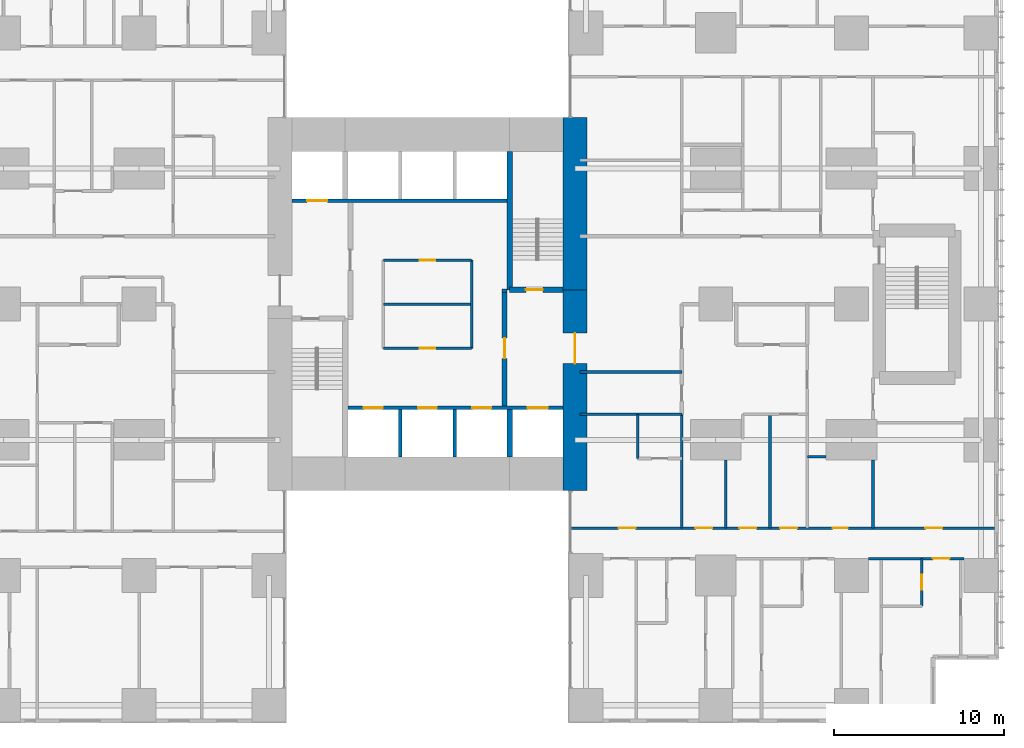
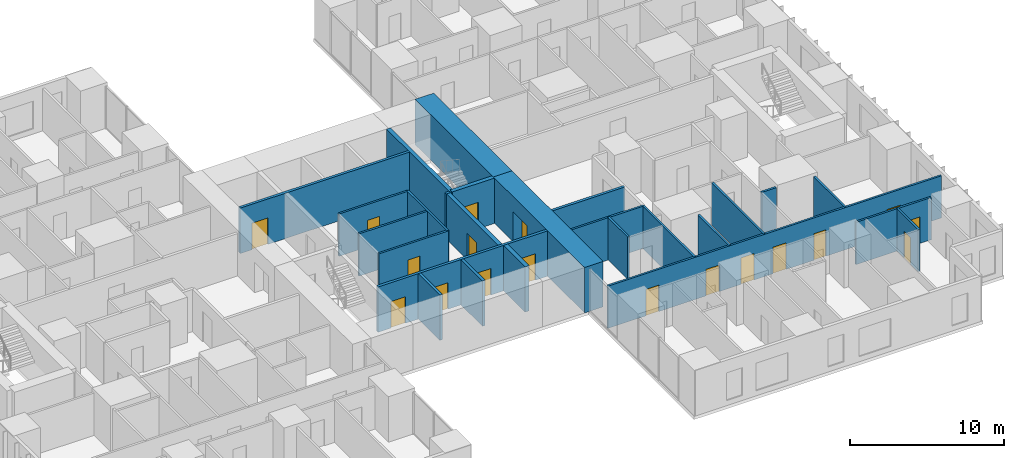
# One storey, part 15 of 21: 26 walls, 18 doors, 18 openings.
"""IFC4 building model written with IfcOpenShell, lengths in metres."""

from ifc_helpers import new_model, si_unit, direction, frame, frame_2d, origin, place, context, subcontext, project, spatial, rectangle, extrude, material, layer, layer_set, type_object, element, fill, save


model = new_model("IFC4")

# Units and contexts
model_context = context("Model", 3, precision=1e-05, world=origin(), true_north=direction((0.0, 1.0)))
body_context = subcontext(model_context, "Body", "Model", "MODEL_VIEW")
ifc_project = project(units=[si_unit("LENGTHUNIT", "METRE"), si_unit("AREAUNIT", "SQUARE_METRE"), si_unit("VOLUMEUNIT", "CUBIC_METRE"), si_unit("PLANEANGLEUNIT", "RADIAN"), si_unit("MASSUNIT", "GRAM", prefix="KILO")], contexts=[model_context])

# Site, building, storey
site_placement = place(None, origin())
site = spatial("IfcSite", under=ifc_project, at=site_placement, CompositionType="ELEMENT")
building_placement = place(site_placement, origin())
building = spatial("IfcBuilding", under=site, at=building_placement, Name="Cleftline Residences", CompositionType="ELEMENT")
storey_placement = place(building_placement, frame((0.0, 0.0, 128.60009765625)))
storey = spatial("IfcBuildingStorey", under=building, at=storey_placement, Name="L33", CompositionType="ELEMENT", Elevation=128.60009765625)

# Wall, opening, door
ifc_material_1 = material(Name="Concrete B70", Category="concrete")
ifc_layer_1 = layer(ifc_material_1, 1.39990234375)
ifc_layer_set_1 = layer_set([ifc_layer_1], Name="CORE WALL 1400")
wall_type_1 = type_object("IfcWallType", Name="CORE WALL 1400", PredefinedType="SHEAR", material=ifc_layer_set_1)
wall_1_placement = place(storey_placement, frame((41.699951171875, 13.0, 0.0), z_axis=(0.0, 0.0, 1.0), x_axis=(0.0, 1.0, 0.0)))
wall_1 = element("IfcWall", 1, at=wall_1_placement, inside=storey, type_object=wall_type_1, Name="Core wall E", PredefinedType="SHEAR", context=body_context, shape_type="SweptSolid", body=[
    extrude(rectangle(XDim=11.85009765625, YDim=1.39990234375, at=frame_2d((5.925048828125, 0.0))), origin(), (0.0, 0.0, 1.0), 3.599853515625),
])
opening_1_placement = place(wall_1_placement, frame((7.5, 0.0, 0.0)))
opening_1 = element("IfcOpeningElement", 2, at=opening_1_placement, cuts=wall_1, Name="Opening D7", PredefinedType="OPENING", context=body_context, shape_type="SweptSolid", body=[
    extrude(rectangle(XDim=1.800048828125, YDim=2.39990234375, at=frame_2d((0.89990234375, 1.199951171875))), frame((0.0, 0.7099609375, 0.0), z_axis=(0.0, -1.0, 0.0), x_axis=(1.0, 0.0, 0.0)), (0.0, 0.0, 1.0), 1.419921875),
])
ifc_material_2 = material(Name="Steel", Category="steel")
door_type_1 = type_object("IfcDoorType", Name="WING DOOR 1800X2400", OperationType="DOUBLE_DOOR_DOUBLE_SWING", PredefinedType="DOOR", material=ifc_material_2)
door_1_placement = place(opening_1_placement, origin())
door_1 = element("IfcDoor", 3, at=door_1_placement, inside=storey, type_object=door_type_1, Name="East wing door", OperationType="DOUBLE_DOOR_DOUBLE_SWING", OverallHeight=2.39990234375, OverallWidth=1.800048828125, PredefinedType="DOOR", context=body_context, shape_type="SweptSolid", body=[
    extrude(rectangle(XDim=1.800048828125, YDim=2.39990234375, at=frame_2d((0.89990234375, 1.199951171875))), frame((0.0, 0.02490234375, 0.0), z_axis=(0.0, -1.0, 0.0), x_axis=(1.0, 0.0, 0.0)), (0.0, 0.0, 1.0), 0.050048828125),
])
fill(opening_1, door_1)

# Walls
wall_2_placement = place(storey_placement, frame((41.699951171875, 24.85009765625, 0.0), z_axis=(0.0, 0.0, 1.0), x_axis=(0.0, 1.0, 0.0)))
element("IfcWall", 4, at=wall_2_placement, inside=storey, type_object=wall_type_1, Name="Core wall E1", PredefinedType="SHEAR", context=body_context, shape_type="SweptSolid", body=[
    extrude(rectangle(XDim=10.14990234375, YDim=1.39990234375, at=frame_2d((5.074951171875, 0.0))), origin(), (0.0, 0.0, 1.0), 3.599853515625),
])
ifc_material_3 = material(Name="Concrete B70", Category="concrete")
ifc_layer_2 = layer(ifc_material_3, 0.300048828125)
ifc_layer_set_2 = layer_set([ifc_layer_2], Name="CORE WALL 300")
wall_type_2 = type_object("IfcWallType", Name="CORE WALL 300", PredefinedType="SHEAR", material=ifc_layer_set_2)
wall_3_placement = place(storey_placement, frame((37.85009765625, 24.85009765625, 0.0), z_axis=(0.0, 0.0, 1.0), x_axis=(0.0, 1.0, 0.0)))
element("IfcWall", 5, at=wall_3_placement, inside=storey, type_object=wall_type_2, Name="Core wall SB-W", PredefinedType="SHEAR", context=body_context, shape_type="SweptSolid", body=[
    extrude(rectangle(XDim=8.14990234375, YDim=0.300048828125, at=frame_2d((4.074951171875, 0.0))), origin(), (0.0, 0.0, 1.0), 3.599853515625),
])

# Wall, opening, door
wall_4_placement = place(storey_placement, frame((37.85009765625, 24.85009765625, 0.0), z_axis=(0.0, 0.0, 1.0), x_axis=(1.0, 0.0, 0.0)))
wall_4 = element("IfcWall", 6, at=wall_4_placement, inside=storey, type_object=wall_type_2, Name="Core wall SB-S", PredefinedType="SHEAR", context=body_context, shape_type="SweptSolid", body=[
    extrude(rectangle(XDim=3.14990234375, YDim=0.300048828125, at=frame_2d((1.574951171875, 0.0))), origin(), (0.0, 0.0, 1.0), 3.599853515625),
])
opening_2_placement = place(wall_4_placement, frame((0.949951171875, 0.0, 0.0)))
opening_2 = element("IfcOpeningElement", 7, at=opening_2_placement, cuts=wall_4, Name="Opening D5", PredefinedType="OPENING", context=body_context, shape_type="SweptSolid", body=[
    extrude(rectangle(XDim=1.0, YDim=2.10009765625, at=frame_2d((0.5, 1.050048828125))), frame((0.0, 0.159912109375, 0.0), z_axis=(0.0, -1.0, 0.0), x_axis=(1.0, 0.0, 0.0)), (0.0, 0.0, 1.0), 0.320068359375),
])
ifc_material_4 = material(Name="Steel", Category="steel")
door_type_2 = type_object("IfcDoorType", Name="STAIR DOOR 1000X2100", OperationType="SINGLE_SWING_LEFT", PredefinedType="DOOR", material=ifc_material_4)
door_2_placement = place(opening_2_placement, origin())
door_2 = element("IfcDoor", 8, at=door_2_placement, inside=storey, type_object=door_type_2, Name="Stair B door", OperationType="SINGLE_SWING_RIGHT", OverallHeight=2.10009765625, OverallWidth=1.0, PredefinedType="DOOR", context=body_context, shape_type="SweptSolid", body=[
    extrude(rectangle(XDim=1.0, YDim=2.10009765625, at=frame_2d((0.5, 1.050048828125))), frame((0.0, 0.02490234375, 0.0), z_axis=(0.0, -1.0, 0.0), x_axis=(1.0, 0.0, 0.0)), (0.0, 0.0, 1.0), 0.050048828125),
])
fill(opening_2, door_2)

# Walls
wall_5_placement = place(storey_placement, frame((37.85009765625, 15.0, 0.0), z_axis=(0.0, 0.0, 1.0), x_axis=(0.0, 1.0, 0.0)))
element("IfcWall", 9, at=wall_5_placement, inside=storey, type_object=wall_type_2, Name="Lift shaft wall", PredefinedType="SHEAR", context=body_context, shape_type="SweptSolid", body=[
    extrude(rectangle(XDim=2.800048828125, YDim=0.300048828125, at=frame_2d((1.39990234375, 0.0))), origin(), (0.0, 0.0, 1.0), 3.599853515625),
])
ifc_material_5 = material(Name="Concrete blockwork, fire rated", Category="masonry")
ifc_layer_3 = layer(ifc_material_5, 0.199951171875)
ifc_layer_set_3 = layer_set([ifc_layer_3], Name="FIRE WALL 200")
wall_type_3 = type_object("IfcWallType", Name="FIRE WALL 200", PredefinedType="PARTITIONING", material=ifc_layer_set_3)
wall_6_placement = place(storey_placement, frame((42.0, 20.0, 0.0), z_axis=(0.0, 0.0, 1.0), x_axis=(1.0, 0.0, 0.0)))
element("IfcWall", 10, at=wall_6_placement, inside=storey, type_object=wall_type_3, Name="Fire separating wall", PredefinedType="PARTITIONING", context=body_context, shape_type="SweptSolid", body=[
    extrude(rectangle(XDim=6.0, YDim=0.199951171875, at=frame_2d((3.0, 0.0))), origin(), (0.0, 0.0, 1.0), 3.349853515625),
])
wall_7_placement = place(storey_placement, frame((37.39990234375, 24.800048828125, 0.0), z_axis=(0.0, 0.0, 1.0), x_axis=(1.0, 0.0, 0.0)))
element("IfcWall", 11, at=wall_7_placement, inside=storey, type_object=wall_type_3, Name="Fire separating wall", PredefinedType="PARTITIONING", context=body_context, shape_type="SweptSolid", body=[
    extrude(rectangle(XDim=0.300048828125, YDim=0.199951171875, at=frame_2d((0.14990234375, 0.0))), origin(), (0.0, 0.0, 1.0), 3.599853515625),
])

# Wall, opening, door
ifc_material_6 = material(Name="Gypsum board on steel studs", Category="steel")
ifc_layer_4 = layer(ifc_material_6, 0.14990234375)
ifc_layer_set_4 = layer_set([ifc_layer_4], Name="PARTITION 150")
wall_type_4 = type_object("IfcWallType", Name="PARTITION 150", PredefinedType="PARTITIONING", material=ifc_layer_set_4)
wall_8_placement = place(storey_placement, frame((59.0, 9.0, 0.0), z_axis=(0.0, 0.0, 1.0), x_axis=(1.0, 0.0, 0.0)))
wall_8 = element("IfcWall", 12, at=wall_8_placement, inside=storey, type_object=wall_type_4, Name="Partition", PredefinedType="PARTITIONING", context=body_context, shape_type="SweptSolid", body=[
    extrude(rectangle(XDim=5.64990234375, YDim=0.14990234375, at=frame_2d((2.824951171875, 0.0))), origin(), (0.0, 0.0, 1.0), 3.349853515625),
])
opening_3_placement = place(wall_8_placement, frame((3.800048828125, 0.0, 0.0)))
opening_3 = element("IfcOpeningElement", 13, at=opening_3_placement, cuts=wall_8, Name="Opening D2", PredefinedType="OPENING", context=body_context, shape_type="SweptSolid", body=[
    extrude(rectangle(XDim=1.0, YDim=2.10009765625, at=frame_2d((0.5, 1.050048828125))), frame((0.0, 0.0849609375, 0.0), z_axis=(0.0, -1.0, 0.0), x_axis=(1.0, 0.0, 0.0)), (0.0, 0.0, 1.0), 0.169921875),
])
ifc_material_7 = material(Name="Timber veneer on solid core", Category="wood")
door_type_3 = type_object("IfcDoorType", Name="DOOR 1000X2100", OperationType="SINGLE_SWING_LEFT", PredefinedType="DOOR", material=ifc_material_7)
door_3_placement = place(opening_3_placement, origin())
door_3 = element("IfcDoor", 14, at=door_3_placement, inside=storey, type_object=door_type_3, Name="Door to bedroom 2", OperationType="SINGLE_SWING_LEFT", OverallHeight=2.10009765625, OverallWidth=1.0, PredefinedType="DOOR", context=body_context, shape_type="SweptSolid", body=[
    extrude(rectangle(XDim=1.0, YDim=2.10009765625, at=frame_2d((0.5, 1.050048828125))), frame((0.0, 0.02490234375, 0.0), z_axis=(0.0, -1.0, 0.0), x_axis=(1.0, 0.0, 0.0)), (0.0, 0.0, 1.0), 0.050048828125),
])
fill(opening_3, door_3)

# Wall, openings, doors
wall_9_placement = place(storey_placement, frame((41.43896484375, 10.800048828125, 0.0), z_axis=(0.0, 0.0, 1.0), x_axis=(1.0, 0.0, 0.0)))
wall_9 = element("IfcWall", 15, at=wall_9_placement, inside=storey, type_object=wall_type_4, Name="Partition", PredefinedType="PARTITIONING", context=body_context, shape_type="SweptSolid", body=[
    extrude(rectangle(XDim=25.010986328125, YDim=0.14990234375, at=frame_2d((12.50537109375, 0.0))), origin(), (0.0, 0.0, 1.0), 3.349853515625),
])
opening_4_placement = place(wall_9_placement, frame((12.361083984375, 0.0, 0.0)))
opening_4 = element("IfcOpeningElement", 16, at=opening_4_placement, cuts=wall_9, Name="Opening D2", PredefinedType="OPENING", context=body_context, shape_type="SweptSolid", body=[
    extrude(rectangle(XDim=1.0, YDim=2.10009765625, at=frame_2d((0.5, 1.050048828125))), frame((0.0, 0.0849609375, 0.0), z_axis=(0.0, -1.0, 0.0), x_axis=(1.0, 0.0, 0.0)), (0.0, 0.0, 1.0), 0.169921875),
])
opening_5_placement = place(wall_9_placement, frame((20.923583984375, 0.0, 0.0)))
opening_5 = element("IfcOpeningElement", 17, at=opening_5_placement, cuts=wall_9, Name="Opening D2", PredefinedType="OPENING", context=body_context, shape_type="SweptSolid", body=[
    extrude(rectangle(XDim=1.0, YDim=2.10009765625, at=frame_2d((0.5, 1.050048828125))), frame((0.0, 0.0849609375, 0.0), z_axis=(0.0, -1.0, 0.0), x_axis=(1.0, 0.0, 0.0)), (0.0, 0.0, 1.0), 0.169921875),
])
opening_6_placement = place(wall_9_placement, frame((15.448486328125, 0.0, 0.0)))
opening_6 = element("IfcOpeningElement", 18, at=opening_6_placement, cuts=wall_9, Name="Opening D1", PredefinedType="OPENING", context=body_context, shape_type="SweptSolid", body=[
    extrude(rectangle(XDim=0.89990234375, YDim=2.10009765625, at=frame_2d((0.449951171875, 1.050048828125))), frame((0.0, 0.0849609375, 0.0), z_axis=(0.0, -1.0, 0.0), x_axis=(1.0, 0.0, 0.0)), (0.0, 0.0, 1.0), 0.169921875),
])
opening_7_placement = place(wall_9_placement, frame((9.9609375, 0.0, 0.0)))
opening_7 = element("IfcOpeningElement", 19, at=opening_7_placement, cuts=wall_9, Name="Opening D2", PredefinedType="OPENING", context=body_context, shape_type="SweptSolid", body=[
    extrude(rectangle(XDim=1.0, YDim=2.10009765625, at=frame_2d((0.5, 1.050048828125))), frame((0.0, 0.0849609375, 0.0), z_axis=(0.0, -1.0, 0.0), x_axis=(1.0, 0.0, 0.0)), (0.0, 0.0, 1.0), 0.169921875),
])
opening_8_placement = place(wall_9_placement, frame((7.361083984375, 0.0, 0.0)))
opening_8 = element("IfcOpeningElement", 20, at=opening_8_placement, cuts=wall_9, Name="Opening D2", PredefinedType="OPENING", context=body_context, shape_type="SweptSolid", body=[
    extrude(rectangle(XDim=1.0, YDim=2.10009765625, at=frame_2d((0.5, 1.050048828125))), frame((0.0, 0.0849609375, 0.0), z_axis=(0.0, -1.0, 0.0), x_axis=(1.0, 0.0, 0.0)), (0.0, 0.0, 1.0), 0.169921875),
])
opening_9_placement = place(wall_9_placement, frame((2.8359375, 0.0, 0.0)))
opening_9 = element("IfcOpeningElement", 21, at=opening_9_placement, cuts=wall_9, Name="Opening D2", PredefinedType="OPENING", context=body_context, shape_type="SweptSolid", body=[
    extrude(rectangle(XDim=1.0, YDim=2.10009765625, at=frame_2d((0.5, 1.050048828125))), frame((0.0, 0.0849609375, 0.0), z_axis=(0.0, -1.0, 0.0), x_axis=(1.0, 0.0, 0.0)), (0.0, 0.0, 1.0), 0.169921875),
])
door_4_placement = place(opening_4_placement, origin())
door_4 = element("IfcDoor", 22, at=door_4_placement, inside=storey, type_object=door_type_3, Name="Door to residence hall", OperationType="SINGLE_SWING_LEFT", OverallHeight=2.10009765625, OverallWidth=1.0, PredefinedType="DOOR", context=body_context, shape_type="SweptSolid", body=[
    extrude(rectangle(XDim=1.0, YDim=2.10009765625, at=frame_2d((0.5, 1.050048828125))), frame((0.0, 0.02490234375, 0.0), z_axis=(0.0, -1.0, 0.0), x_axis=(1.0, 0.0, 0.0)), (0.0, 0.0, 1.0), 0.050048828125),
])
fill(opening_4, door_4)
door_5_placement = place(opening_5_placement, origin())
door_5 = element("IfcDoor", 23, at=door_5_placement, inside=storey, type_object=door_type_3, Name="Door to sea-view living and dining room", OperationType="SINGLE_SWING_LEFT", OverallHeight=2.10009765625, OverallWidth=1.0, PredefinedType="DOOR", context=body_context, shape_type="SweptSolid", body=[
    extrude(rectangle(XDim=1.0, YDim=2.10009765625, at=frame_2d((0.5, 1.050048828125))), frame((0.0, 0.02490234375, 0.0), z_axis=(0.0, -1.0, 0.0), x_axis=(1.0, 0.0, 0.0)), (0.0, 0.0, 1.0), 0.050048828125),
])
fill(opening_5, door_5)
door_6_placement = place(opening_7_placement, origin())
door_6 = element("IfcDoor", 24, at=door_6_placement, inside=storey, type_object=door_type_3, Name="Door to show kitchen", OperationType="SINGLE_SWING_RIGHT", OverallHeight=2.10009765625, OverallWidth=1.0, PredefinedType="DOOR", context=body_context, shape_type="SweptSolid", body=[
    extrude(rectangle(XDim=1.0, YDim=2.10009765625, at=frame_2d((0.5, 1.050048828125))), frame((0.0, 0.02490234375, 0.0), z_axis=(0.0, -1.0, 0.0), x_axis=(1.0, 0.0, 0.0)), (0.0, 0.0, 1.0), 0.050048828125),
])
fill(opening_7, door_6)
door_7_placement = place(opening_8_placement, origin())
door_7 = element("IfcDoor", 25, at=door_7_placement, inside=storey, type_object=door_type_3, Name="Door to wet kitchen", OperationType="SINGLE_SWING_RIGHT", OverallHeight=2.10009765625, OverallWidth=1.0, PredefinedType="DOOR", context=body_context, shape_type="SweptSolid", body=[
    extrude(rectangle(XDim=1.0, YDim=2.10009765625, at=frame_2d((0.5, 1.050048828125))), frame((0.0, 0.02490234375, 0.0), z_axis=(0.0, -1.0, 0.0), x_axis=(1.0, 0.0, 0.0)), (0.0, 0.0, 1.0), 0.050048828125),
])
fill(opening_8, door_7)
door_8_placement = place(opening_9_placement, origin())
door_8 = element("IfcDoor", 26, at=door_8_placement, inside=storey, type_object=door_type_3, Name="Door to master bedroom", OperationType="SINGLE_SWING_RIGHT", OverallHeight=2.10009765625, OverallWidth=1.0, PredefinedType="DOOR", context=body_context, shape_type="SweptSolid", body=[
    extrude(rectangle(XDim=1.0, YDim=2.10009765625, at=frame_2d((0.5, 1.050048828125))), frame((0.0, 0.02490234375, 0.0), z_axis=(0.0, -1.0, 0.0), x_axis=(1.0, 0.0, 0.0)), (0.0, 0.0, 1.0), 0.050048828125),
])
fill(opening_9, door_8)
ifc_material_8 = material(Name="Timber veneer on solid core", Category="wood")
door_type_4 = type_object("IfcDoorType", Name="DOOR 900X2100", OperationType="SINGLE_SWING_LEFT", PredefinedType="DOOR", material=ifc_material_8)
door_9_placement = place(opening_6_placement, origin())
door_9 = element("IfcDoor", 27, at=door_9_placement, inside=storey, type_object=door_type_4, Name="Door to store room", OperationType="SINGLE_SWING_LEFT", OverallHeight=2.10009765625, OverallWidth=0.89990234375, PredefinedType="DOOR", context=body_context, shape_type="SweptSolid", body=[
    extrude(rectangle(XDim=0.89990234375, YDim=2.10009765625, at=frame_2d((0.449951171875, 1.050048828125))), frame((0.0, 0.02490234375, 0.0), z_axis=(0.0, -1.0, 0.0), x_axis=(1.0, 0.0, 0.0)), (0.0, 0.0, 1.0), 0.050048828125),
])
fill(opening_6, door_9)

# Walls
wall_10_placement = place(storey_placement, frame((55.39990234375, 15.0, 0.0), z_axis=(0.0, 0.0, 1.0), x_axis=(1.0, 0.0, 0.0)))
element("IfcWall", 28, at=wall_10_placement, inside=storey, type_object=wall_type_4, Name="Partition", PredefinedType="PARTITIONING", context=body_context, shape_type="SweptSolid", body=[
    extrude(rectangle(XDim=1.10009765625, YDim=0.14990234375, at=frame_2d((0.550048828125, 0.0))), origin(), (0.0, 0.0, 1.0), 3.349853515625),
])
wall_11_placement = place(storey_placement, frame((42.0, 17.5, 0.0), z_axis=(0.0, 0.0, 1.0), x_axis=(1.0, 0.0, 0.0)))
element("IfcWall", 29, at=wall_11_placement, inside=storey, type_object=wall_type_4, Name="Partition", PredefinedType="PARTITIONING", context=body_context, shape_type="SweptSolid", body=[
    extrude(rectangle(XDim=6.0, YDim=0.14990234375, at=frame_2d((3.0, 0.0))), origin(), (0.0, 0.0, 1.0), 3.349853515625),
])
wall_12_placement = place(storey_placement, frame((45.39990234375, 14.89990234375, 0.0), z_axis=(0.0, 0.0, 1.0), x_axis=(0.0, 1.0, 0.0)))
element("IfcWall", 30, at=wall_12_placement, inside=storey, type_object=wall_type_4, Name="Partition", PredefinedType="PARTITIONING", context=body_context, shape_type="SweptSolid", body=[
    extrude(rectangle(XDim=2.60009765625, YDim=0.14990234375, at=frame_2d((1.300048828125, 0.0))), origin(), (0.0, 0.0, 1.0), 3.349853515625),
])
wall_13_placement = place(storey_placement, frame((48.0, 10.800048828125, 0.0), z_axis=(0.0, 0.0, 1.0), x_axis=(0.0, 1.0, 0.0)))
element("IfcWall", 31, at=wall_13_placement, inside=storey, type_object=wall_type_4, Name="Partition", PredefinedType="PARTITIONING", context=body_context, shape_type="SweptSolid", body=[
    extrude(rectangle(XDim=6.699951171875, YDim=0.14990234375, at=frame_2d((3.35009765625, 0.0))), origin(), (0.0, 0.0, 1.0), 3.349853515625),
])
wall_14_placement = place(storey_placement, frame((50.60009765625, 10.800048828125, 0.0), z_axis=(0.0, 0.0, 1.0), x_axis=(0.0, 1.0, 0.0)))
element("IfcWall", 32, at=wall_14_placement, inside=storey, type_object=wall_type_4, Name="Partition", PredefinedType="PARTITIONING", context=body_context, shape_type="SweptSolid", body=[
    extrude(rectangle(XDim=4.0, YDim=0.14990234375, at=frame_2d((2.0, 0.0))), origin(), (0.0, 0.0, 1.0), 3.349853515625),
])
wall_15_placement = place(storey_placement, frame((53.199951171875, 10.800048828125, 0.0), z_axis=(0.0, 0.0, 1.0), x_axis=(0.0, 1.0, 0.0)))
element("IfcWall", 33, at=wall_15_placement, inside=storey, type_object=wall_type_4, Name="Partition", PredefinedType="PARTITIONING", context=body_context, shape_type="SweptSolid", body=[
    extrude(rectangle(XDim=6.699951171875, YDim=0.14990234375, at=frame_2d((3.35009765625, 0.0))), origin(), (0.0, 0.0, 1.0), 3.349853515625),
])
wall_16_placement = place(storey_placement, frame((59.27490234375, 10.800048828125, 0.0), z_axis=(0.0, 0.0, 1.0), x_axis=(0.0, 1.0, 0.0)))
element("IfcWall", 34, at=wall_16_placement, inside=storey, type_object=wall_type_4, Name="Partition", PredefinedType="PARTITIONING", context=body_context, shape_type="SweptSolid", body=[
    extrude(rectangle(XDim=4.0, YDim=0.14990234375, at=frame_2d((2.0, 0.0))), origin(), (0.0, 0.0, 1.0), 3.349853515625),
])

# Wall, opening, door
wall_17_placement = place(storey_placement, frame((62.14990234375, 6.199951171875, 0.0), z_axis=(0.0, 0.0, 1.0), x_axis=(0.0, 1.0, 0.0)))
wall_17 = element("IfcWall", 35, at=wall_17_placement, inside=storey, type_object=wall_type_4, Name="Partition", PredefinedType="PARTITIONING", context=body_context, shape_type="SweptSolid", body=[
    extrude(rectangle(XDim=2.800048828125, YDim=0.14990234375, at=frame_2d((1.39990234375, 0.0))), origin(), (0.0, 0.0, 1.0), 3.349853515625),
])
opening_10_placement = place(wall_17_placement, frame((0.949951171875, 0.0, 0.0)))
opening_10 = element("IfcOpeningElement", 36, at=opening_10_placement, cuts=wall_17, Name="Opening D1", PredefinedType="OPENING", context=body_context, shape_type="SweptSolid", body=[
    extrude(rectangle(XDim=0.89990234375, YDim=2.10009765625, at=frame_2d((0.449951171875, 1.050048828125))), frame((0.0, 0.0849609375, 0.0), z_axis=(0.0, -1.0, 0.0), x_axis=(1.0, 0.0, 0.0)), (0.0, 0.0, 1.0), 0.169921875),
])
door_10_placement = place(opening_10_placement, origin())
door_10 = element("IfcDoor", 37, at=door_10_placement, inside=storey, type_object=door_type_4, Name="Door to en-suite bathroom 2", OperationType="SINGLE_SWING_LEFT", OverallHeight=2.10009765625, OverallWidth=0.89990234375, PredefinedType="DOOR", context=body_context, shape_type="SweptSolid", body=[
    extrude(rectangle(XDim=0.89990234375, YDim=2.10009765625, at=frame_2d((0.449951171875, 1.050048828125))), frame((0.0, 0.02490234375, 0.0), z_axis=(0.0, -1.0, 0.0), x_axis=(1.0, 0.0, 0.0)), (0.0, 0.0, 1.0), 0.050048828125),
])
fill(opening_10, door_10)

ifc_material_9 = material(Name="Fire-resisting gypsum board on steel studs", Category="steel")
ifc_layer_5 = layer(ifc_material_9, 0.14990234375)
ifc_layer_set_5 = layer_set([ifc_layer_5], Name="PARTITION 150 EI 60")
wall_type_5 = type_object("IfcWallType", Name="PARTITION 150 EI 60", PredefinedType="PARTITIONING", material=ifc_layer_set_5)
wall_18_placement = place(storey_placement, frame((30.39990234375, 21.39990234375, 0.0), z_axis=(0.0, 0.0, 1.0), x_axis=(1.0, 0.0, 0.0)))
wall_18 = element("IfcWall", 38, at=wall_18_placement, inside=storey, type_object=wall_type_5, Name="Core room partition", PredefinedType="PARTITIONING", context=body_context, shape_type="SweptSolid", body=[
    extrude(rectangle(XDim=5.2001953125, YDim=0.14990234375, at=frame_2d((2.60009765625, 0.0))), origin(), (0.0, 0.0, 1.0), 3.349853515625),
])
opening_11_placement = place(wall_18_placement, frame((2.14990234375, 0.0, 0.0)))
opening_11 = element("IfcOpeningElement", 39, at=opening_11_placement, cuts=wall_18, Name="Opening D1F30", PredefinedType="OPENING", context=body_context, shape_type="SweptSolid", body=[
    extrude(rectangle(XDim=0.89990234375, YDim=2.10009765625, at=frame_2d((0.449951171875, 1.050048828125))), frame((0.0, 0.0849609375, 0.0), z_axis=(0.0, -1.0, 0.0), x_axis=(1.0, 0.0, 0.0)), (0.0, 0.0, 1.0), 0.169921875),
])
ifc_material_10 = material(Name="Timber veneer on solid core", Category="wood")
door_type_5 = type_object("IfcDoorType", Name="DOOR 900X2100 EI 30", OperationType="SINGLE_SWING_LEFT", PredefinedType="DOOR", material=ifc_material_10)
door_11_placement = place(opening_11_placement, origin())
door_11 = element("IfcDoor", 40, at=door_11_placement, inside=storey, type_object=door_type_5, Name="Door to maintenance store", OperationType="SINGLE_SWING_LEFT", OverallHeight=2.10009765625, OverallWidth=0.89990234375, PredefinedType="DOOR", context=body_context, shape_type="SweptSolid", body=[
    extrude(rectangle(XDim=0.89990234375, YDim=2.10009765625, at=frame_2d((0.449951171875, 1.050048828125))), frame((0.0, 0.02490234375, 0.0), z_axis=(0.0, -1.0, 0.0), x_axis=(1.0, 0.0, 0.0)), (0.0, 0.0, 1.0), 0.050048828125),
])
fill(opening_11, door_11)

wall_19_placement = place(storey_placement, frame((30.39990234375, 26.60009765625, 0.0), z_axis=(0.0, 0.0, 1.0), x_axis=(1.0, 0.0, 0.0)))
wall_19 = element("IfcWall", 41, at=wall_19_placement, inside=storey, type_object=wall_type_5, Name="Core room partition", PredefinedType="PARTITIONING", context=body_context, shape_type="SweptSolid", body=[
    extrude(rectangle(XDim=5.2001953125, YDim=0.14990234375, at=frame_2d((2.60009765625, 0.0))), origin(), (0.0, 0.0, 1.0), 3.349853515625),
])
opening_12_placement = place(wall_19_placement, frame((2.14990234375, 0.0, 0.0)))
opening_12 = element("IfcOpeningElement", 42, at=opening_12_placement, cuts=wall_19, Name="Opening D1F30", PredefinedType="OPENING", context=body_context, shape_type="SweptSolid", body=[
    extrude(rectangle(XDim=0.89990234375, YDim=2.10009765625, at=frame_2d((0.449951171875, 1.050048828125))), frame((0.0, 0.0849609375, 0.0), z_axis=(0.0, -1.0, 0.0), x_axis=(1.0, 0.0, 0.0)), (0.0, 0.0, 1.0), 0.169921875),
])
door_12_placement = place(opening_12_placement, origin())
door_12 = element("IfcDoor", 43, at=door_12_placement, inside=storey, type_object=door_type_5, Name="Door to housekeeping pantry", OperationType="SINGLE_SWING_LEFT", OverallHeight=2.10009765625, OverallWidth=0.89990234375, PredefinedType="DOOR", context=body_context, shape_type="SweptSolid", body=[
    extrude(rectangle(XDim=0.89990234375, YDim=2.10009765625, at=frame_2d((0.449951171875, 1.050048828125))), frame((0.0, 0.02490234375, 0.0), z_axis=(0.0, -1.0, 0.0), x_axis=(1.0, 0.0, 0.0)), (0.0, 0.0, 1.0), 0.050048828125),
])
fill(opening_12, door_12)

# Walls
for number, where, z_axis, x_axis, name in (
    (44, (35.60009765625, 21.39990234375, 0.0), (0.0, 0.0, 1.0), (0.0, 1.0, 0.0), "Core room partition"),
    (45, (30.39990234375, 24.0, 0.0), (0.0, 0.0, 1.0), (1.0, 0.0, 0.0), "Core room partition"),
):
    element("IfcWall", number, at=place(storey_placement, frame(where, z_axis=z_axis, x_axis=x_axis)), inside=storey, type_object=wall_type_5, Name=name, PredefinedType="PARTITIONING", context=body_context, shape_type="SweptSolid", body=[
        extrude(rectangle(XDim=5.2001953125, YDim=0.14990234375, at=frame_2d((2.60009765625, 0.0))), origin(), (0.0, 0.0, 1.0), 3.349853515625),
    ])

# Wall, openings, doors
ifc_material_11 = material(Name="Concrete blockwork, fire rated", Category="masonry")
ifc_layer_6 = layer(ifc_material_11, 0.199951171875)
ifc_layer_set_6 = layer_set([ifc_layer_6], Name="SHAFT WALL 200")
wall_type_6 = type_object("IfcWallType", Name="SHAFT WALL 200", PredefinedType="PARTITIONING", material=ifc_layer_set_6)
wall_20_placement = place(storey_placement, frame((28.300048828125, 17.89990234375, 0.0), z_axis=(0.0, 0.0, 1.0), x_axis=(1.0, 0.0, 0.0)))
wall_20 = element("IfcWall", 46, at=wall_20_placement, inside=storey, type_object=wall_type_6, Name="Lift shaft wall", PredefinedType="PARTITIONING", context=body_context, shape_type="SweptSolid", body=[
    extrude(rectangle(XDim=12.699951171875, YDim=0.199951171875, at=frame_2d((6.35009765625, 0.0))), origin(), (0.0, 0.0, 1.0), 3.599853515625),
])
opening_13_placement = place(wall_20_placement, frame((0.949951171875, 0.0, 0.0)))
opening_13 = element("IfcOpeningElement", 47, at=opening_13_placement, cuts=wall_20, Name="Opening LD1", PredefinedType="OPENING", context=body_context, shape_type="SweptSolid", body=[
    extrude(rectangle(XDim=1.10009765625, YDim=2.10009765625, at=frame_2d((0.550048828125, 1.050048828125))), frame((0.0, 0.10986328125, 0.0), z_axis=(0.0, -1.0, 0.0), x_axis=(1.0, 0.0, 0.0)), (0.0, 0.0, 1.0), 0.219970703125),
])
opening_14_placement = place(wall_20_placement, frame((4.14990234375, 0.0, 0.0)))
opening_14 = element("IfcOpeningElement", 48, at=opening_14_placement, cuts=wall_20, Name="Opening LD1", PredefinedType="OPENING", context=body_context, shape_type="SweptSolid", body=[
    extrude(rectangle(XDim=1.10009765625, YDim=2.10009765625, at=frame_2d((0.550048828125, 1.050048828125))), frame((0.0, 0.10986328125, 0.0), z_axis=(0.0, -1.0, 0.0), x_axis=(1.0, 0.0, 0.0)), (0.0, 0.0, 1.0), 0.219970703125),
])
opening_15_placement = place(wall_20_placement, frame((7.35009765625, 0.0, 0.0)))
opening_15 = element("IfcOpeningElement", 49, at=opening_15_placement, cuts=wall_20, Name="Opening LD1", PredefinedType="OPENING", context=body_context, shape_type="SweptSolid", body=[
    extrude(rectangle(XDim=1.10009765625, YDim=2.10009765625, at=frame_2d((0.550048828125, 1.050048828125))), frame((0.0, 0.10986328125, 0.0), z_axis=(0.0, -1.0, 0.0), x_axis=(1.0, 0.0, 0.0)), (0.0, 0.0, 1.0), 0.219970703125),
])
opening_16_placement = place(wall_20_placement, frame((10.60009765625, 0.0, 0.0)))
opening_16 = element("IfcOpeningElement", 50, at=opening_16_placement, cuts=wall_20, Name="Opening LD2", PredefinedType="OPENING", context=body_context, shape_type="SweptSolid", body=[
    extrude(rectangle(XDim=1.199951171875, YDim=2.10009765625, at=frame_2d((0.60009765625, 1.050048828125))), frame((0.0, 0.10986328125, 0.0), z_axis=(0.0, -1.0, 0.0), x_axis=(1.0, 0.0, 0.0)), (0.0, 0.0, 1.0), 0.219970703125),
])
ifc_material_12 = material(Name="Steel", Category="steel")
door_type_6 = type_object("IfcDoorType", Name="FIREFIGHTING LIFT LANDING DOOR 1200X2100", OperationType="SLIDING_TO_LEFT", PredefinedType="DOOR", material=ifc_material_12)
door_13_placement = place(opening_16_placement, origin())
door_13 = element("IfcDoor", 51, at=door_13_placement, inside=storey, type_object=door_type_6, Name="Lift FL2 landing door", OperationType="SLIDING_TO_LEFT", OverallHeight=2.10009765625, OverallWidth=1.199951171875, PredefinedType="DOOR", context=body_context, shape_type="SweptSolid", body=[
    extrude(rectangle(XDim=1.199951171875, YDim=2.10009765625, at=frame_2d((0.60009765625, 1.050048828125))), frame((0.0, 0.02490234375, 0.0), z_axis=(0.0, -1.0, 0.0), x_axis=(1.0, 0.0, 0.0)), (0.0, 0.0, 1.0), 0.050048828125),
])
fill(opening_16, door_13)
ifc_material_13 = material(Name="Steel", Category="steel")
door_type_7 = type_object("IfcDoorType", Name="LIFT LANDING DOOR 1100X2100", OperationType="SLIDING_TO_LEFT", PredefinedType="DOOR", material=ifc_material_13)
door_14_placement = place(opening_13_placement, origin())
door_14 = element("IfcDoor", 52, at=door_14_placement, inside=storey, type_object=door_type_7, Name="Lift P1 landing door", OperationType="SLIDING_TO_LEFT", OverallHeight=2.10009765625, OverallWidth=1.10009765625, PredefinedType="DOOR", context=body_context, shape_type="SweptSolid", body=[
    extrude(rectangle(XDim=1.10009765625, YDim=2.10009765625, at=frame_2d((0.550048828125, 1.050048828125))), frame((0.0, 0.02490234375, 0.0), z_axis=(0.0, -1.0, 0.0), x_axis=(1.0, 0.0, 0.0)), (0.0, 0.0, 1.0), 0.050048828125),
])
fill(opening_13, door_14)
door_15_placement = place(opening_14_placement, origin())
door_15 = element("IfcDoor", 53, at=door_15_placement, inside=storey, type_object=door_type_7, Name="Lift P2 landing door", OperationType="SLIDING_TO_LEFT", OverallHeight=2.10009765625, OverallWidth=1.10009765625, PredefinedType="DOOR", context=body_context, shape_type="SweptSolid", body=[
    extrude(rectangle(XDim=1.10009765625, YDim=2.10009765625, at=frame_2d((0.550048828125, 1.050048828125))), frame((0.0, 0.02490234375, 0.0), z_axis=(0.0, -1.0, 0.0), x_axis=(1.0, 0.0, 0.0)), (0.0, 0.0, 1.0), 0.050048828125),
])
fill(opening_14, door_15)
door_16_placement = place(opening_15_placement, origin())
door_16 = element("IfcDoor", 54, at=door_16_placement, inside=storey, type_object=door_type_7, Name="Lift P3 landing door", OperationType="SLIDING_TO_LEFT", OverallHeight=2.10009765625, OverallWidth=1.10009765625, PredefinedType="DOOR", context=body_context, shape_type="SweptSolid", body=[
    extrude(rectangle(XDim=1.10009765625, YDim=2.10009765625, at=frame_2d((0.550048828125, 1.050048828125))), frame((0.0, 0.02490234375, 0.0), z_axis=(0.0, -1.0, 0.0), x_axis=(1.0, 0.0, 0.0)), (0.0, 0.0, 1.0), 0.050048828125),
])
fill(opening_15, door_16)

# Wall, opening, door
wall_21_placement = place(storey_placement, frame((25.0, 30.10009765625, 0.0), z_axis=(0.0, 0.0, 1.0), x_axis=(1.0, 0.0, 0.0)))
wall_21 = element("IfcWall", 55, at=wall_21_placement, inside=storey, type_object=wall_type_6, Name="Lift shaft wall", PredefinedType="PARTITIONING", context=body_context, shape_type="SweptSolid", body=[
    extrude(rectangle(XDim=12.699951171875, YDim=0.199951171875, at=frame_2d((6.35009765625, 0.0))), origin(), (0.0, 0.0, 1.0), 3.599853515625),
])
opening_17_placement = place(wall_21_placement, frame((0.89990234375, 0.0, 0.0)))
opening_17 = element("IfcOpeningElement", 56, at=opening_17_placement, cuts=wall_21, Name="Opening LD2", PredefinedType="OPENING", context=body_context, shape_type="SweptSolid", body=[
    extrude(rectangle(XDim=1.199951171875, YDim=2.10009765625, at=frame_2d((0.60009765625, 1.050048828125))), frame((0.0, 0.10986328125, 0.0), z_axis=(0.0, -1.0, 0.0), x_axis=(1.0, 0.0, 0.0)), (0.0, 0.0, 1.0), 0.219970703125),
])
door_17_placement = place(opening_17_placement, origin())
door_17 = element("IfcDoor", 57, at=door_17_placement, inside=storey, type_object=door_type_6, Name="Lift FL1 landing door", OperationType="SLIDING_TO_LEFT", OverallHeight=2.10009765625, OverallWidth=1.199951171875, PredefinedType="DOOR", context=body_context, shape_type="SweptSolid", body=[
    extrude(rectangle(XDim=1.199951171875, YDim=2.10009765625, at=frame_2d((0.60009765625, 1.050048828125))), frame((0.0, 0.02490234375, 0.0), z_axis=(0.0, -1.0, 0.0), x_axis=(1.0, 0.0, 0.0)), (0.0, 0.0, 1.0), 0.050048828125),
])
fill(opening_17, door_17)

# Walls
for number, where, z_axis, x_axis, name in (
    (58, (31.39990234375, 15.0, 0.0), (0.0, 0.0, 1.0), (0.0, 1.0, 0.0), "Lift shaft wall"),
    (59, (34.60009765625, 15.0, 0.0), (0.0, 0.0, 1.0), (0.0, 1.0, 0.0), "Lift shaft wall"),
):
    element("IfcWall", number, at=place(storey_placement, frame(where, z_axis=z_axis, x_axis=x_axis)), inside=storey, type_object=wall_type_6, Name=name, PredefinedType="PARTITIONING", context=body_context, shape_type="SweptSolid", body=[
        extrude(rectangle(XDim=2.800048828125, YDim=0.199951171875, at=frame_2d((1.39990234375, 0.0))), origin(), (0.0, 0.0, 1.0), 3.599853515625),
    ])

# Wall, opening, door
ifc_material_14 = material(Name="Concrete blockwork, fire rated", Category="masonry")
ifc_layer_7 = layer(ifc_material_14, 0.300048828125)
ifc_layer_set_7 = layer_set([ifc_layer_7], Name="STAIR LOBBY WALL 300")
wall_type_7 = type_object("IfcWallType", Name="STAIR LOBBY WALL 300", PredefinedType="PARTITIONING", material=ifc_layer_set_7)
wall_22_placement = place(storey_placement, frame((37.550048828125, 18.0, 0.0), z_axis=(0.0, 0.0, 1.0), x_axis=(0.0, 1.0, 0.0)))
wall_22 = element("IfcWall", 60, at=wall_22_placement, inside=storey, type_object=wall_type_7, Name="Stair and lobby wall FB-W", PredefinedType="PARTITIONING", context=body_context, shape_type="SweptSolid", body=[
    extrude(rectangle(XDim=6.699951171875, YDim=0.300048828125, at=frame_2d((3.35009765625, 0.0))), origin(), (0.0, 0.0, 1.0), 3.599853515625),
])
opening_18_placement = place(wall_22_placement, frame((2.800048828125, 0.0, 0.0)))
opening_18 = element("IfcOpeningElement", 61, at=opening_18_placement, cuts=wall_22, Name="Opening D6", PredefinedType="OPENING", context=body_context, shape_type="SweptSolid", body=[
    extrude(rectangle(XDim=1.199951171875, YDim=2.10009765625, at=frame_2d((0.60009765625, 1.050048828125))), frame((0.0, 0.159912109375, 0.0), z_axis=(0.0, -1.0, 0.0), x_axis=(1.0, 0.0, 0.0)), (0.0, 0.0, 1.0), 0.320068359375),
])
ifc_material_15 = material(Name="Steel", Category="steel")
door_type_8 = type_object("IfcDoorType", Name="LOBBY DOOR 1200X2100", OperationType="SINGLE_SWING_RIGHT", PredefinedType="DOOR", material=ifc_material_15)
door_18_placement = place(opening_18_placement, origin())
door_18 = element("IfcDoor", 62, at=door_18_placement, inside=storey, type_object=door_type_8, Name="Firefighting lobby B door", OperationType="SINGLE_SWING_LEFT", OverallHeight=2.10009765625, OverallWidth=1.199951171875, PredefinedType="DOOR", context=body_context, shape_type="SweptSolid", body=[
    extrude(rectangle(XDim=1.199951171875, YDim=2.10009765625, at=frame_2d((0.60009765625, 1.050048828125))), frame((0.0, 0.02490234375, 0.0), z_axis=(0.0, -1.0, 0.0), x_axis=(1.0, 0.0, 0.0)), (0.0, 0.0, 1.0), 0.050048828125),
])
fill(opening_18, door_18)

save(model, "model.ifc")
